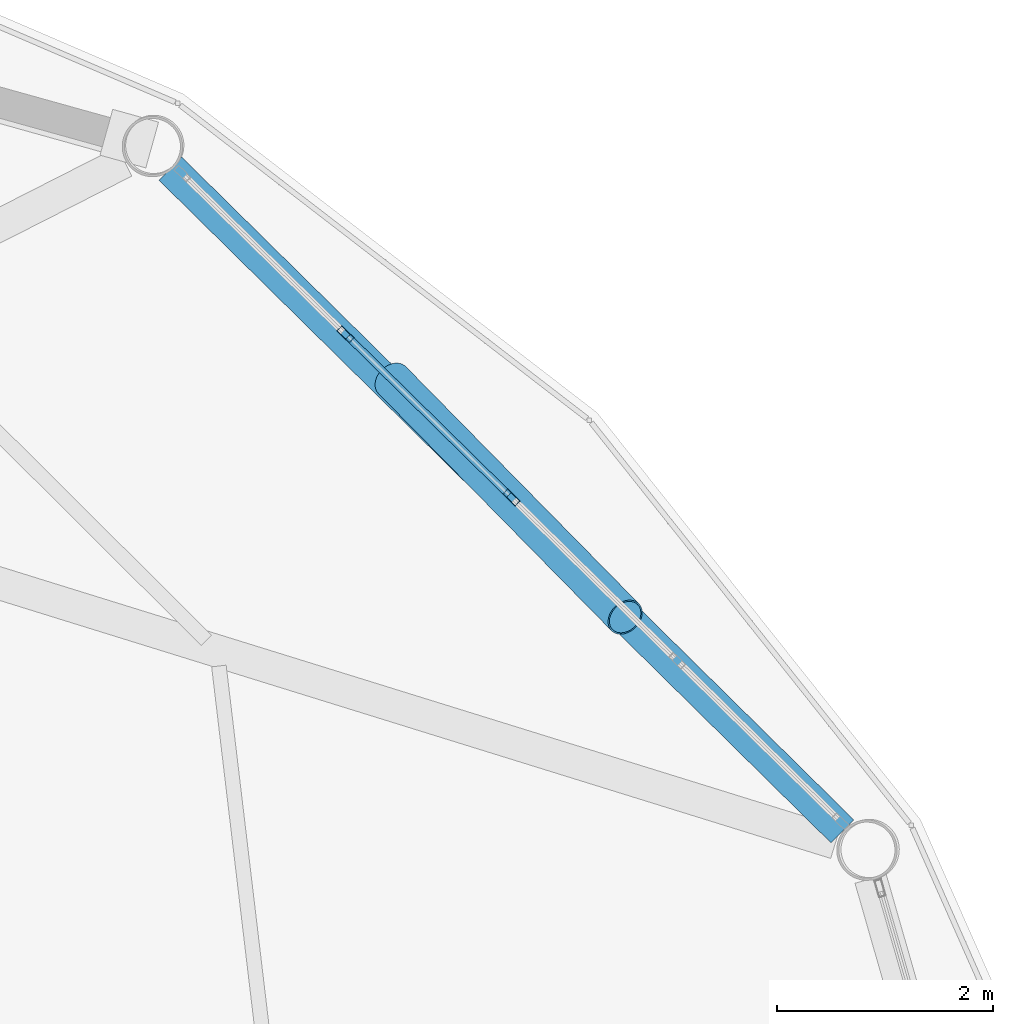
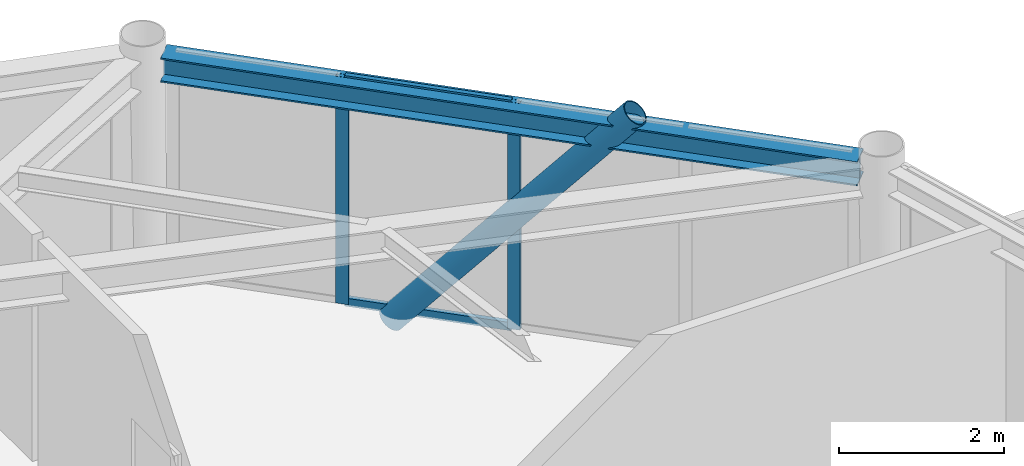
# One storey, part 15 of 27: 5 members, 1 beam, 1 element without a shape of its own.
"""IFC4 building model written with IfcOpenShell, lengths in metres."""

from ifc_helpers import new_model, si_unit, direction, frame, origin, origin_2d, place, context, subcontext, project, spatial, hollow_rectangle, hollow_circle, i_section, extrude, material, layer, layer_set, material_profile, profile_set, type_object, element, aggregate, save


model = new_model("IFC4")

# Units and contexts
model_context = context("Model", 3, precision=1e-05, world=origin(), true_north=direction((0.0, 1.0)))
body_context = subcontext(model_context, "Body", "Model", "MODEL_VIEW")
ifc_project = project(units=[si_unit("LENGTHUNIT", "METRE"), si_unit("AREAUNIT", "SQUARE_METRE"), si_unit("VOLUMEUNIT", "CUBIC_METRE"), si_unit("PLANEANGLEUNIT", "RADIAN"), si_unit("MASSUNIT", "GRAM", prefix="KILO")], contexts=[model_context])

# Site, building, storey
site_placement = place(None, origin())
site = spatial("IfcSite", under=ifc_project, at=site_placement, CompositionType="ELEMENT")
building_placement = place(site_placement, origin())
building = spatial("IfcBuilding", under=site, at=building_placement, Name="Varnakorn Sky Granary", CompositionType="ELEMENT")
storey_placement = place(building_placement, frame((0.0, 0.0, 263.39990234375)))
storey = spatial("IfcBuildingStorey", under=building, at=storey_placement, Name="L67", CompositionType="ELEMENT", Elevation=263.39990234375)

# Beam
ifc_material_1 = material(Name="Steel S355JR", Category="steel")
ifc_material_profile_1 = material_profile(ifc_material_1, i_section(OverallWidth=0.300048828125, OverallDepth=0.360107421875, WebThickness=0.012451171875, FlangeThickness=0.0224609375, at=origin_2d()), Name="HE 360 B")
ifc_profile_set_1 = profile_set([ifc_material_profile_1], Name="Steel S355JR")
beam_type = type_object("IfcBeamType", Name="BM-SPD-Z5", PredefinedType="SPANDREL", material=ifc_profile_set_1)
beam_placement = place(storey_placement, frame((20.268310546875, 9.069580078125, 3.18017578125), z_axis=(-0.712078619824, 0.702099735927, 0.0), x_axis=(-0.702099735927, -0.712078619824, 0.0)))
element("IfcBeam", 1, at=beam_placement, inside=storey, type_object=beam_type, Name="Perimeter Spandrel Ring Beam RB02 L67", PredefinedType="SPANDREL", context=body_context, shape_type="SweptSolid", body=[
    extrude(i_section(OverallWidth=0.300048828125, OverallDepth=0.360107421875, WebThickness=0.012451171875, FlangeThickness=0.0224609375, at=origin_2d()), origin(), (0.0, 0.0, 1.0), 8.734375),
])

# Curtain wall, members
ifc_material_2 = material(Name="Anodised Bronze Aluminium Alloy 6063-T6", Category="aluminium")
ifc_layer = layer(ifc_material_2, 0.159912109375, Name="Anodised Bronze Aluminium Alloy 6063-T6")
ifc_layer_set = layer_set([ifc_layer], Name="Anodised Bronze Aluminium Alloy 6063-T6")
curtain_wall_type = type_object("IfcCurtainWallType", Name="CW-OFF-1", PredefinedType="USERDEFINED", material=ifc_layer_set)
curtain_wall_placement = place(storey_placement, origin())
curtain_wall = element("IfcCurtainWall", 2, at=curtain_wall_placement, inside=storey, type_object=curtain_wall_type, Name="Unitised Curtain Wall CW6 CW-L67-B02", ObjectType="CURTAIN WALL", PredefinedType="USERDEFINED")
ifc_material_profile_2 = material_profile(ifc_material_2, hollow_rectangle(XDim=0.06494140625, YDim=0.159912109375, WallThickness=0.00341796875, at=origin_2d()), Name="ALU MULL 65x160")
ifc_profile_set_2 = profile_set([ifc_material_profile_2], Name="Anodised Bronze Aluminium Alloy 6063-T6")
member_type_1 = type_object("IfcMemberType", Name="CW-OFF-1-MULL", PredefinedType="MULLION", material=ifc_profile_set_2)
member_1_placement = place(storey_placement, frame((15.670654296875, 13.6689453125, 0.0), z_axis=(0.0, 0.0, 1.0), x_axis=(0.701440030116, 0.71272847856, 0.0)))
member_1 = element("IfcMember", 3, at=member_1_placement, type_object=member_type_1, Name="CW6 mullion 2", PredefinedType="MULLION", context=body_context, shape_type="SweptSolid", body=[
    extrude(hollow_rectangle(XDim=0.06494140625, YDim=0.159912109375, WallThickness=0.00341796875, at=origin_2d()), origin(), (0.0, 0.0, 1.0), 3.360107421875),
])
member_2_placement = place(storey_placement, frame((17.205078125, 12.158935546875, 0.0), z_axis=(0.0, 0.0, 1.0), x_axis=(0.701440030116, 0.71272847856, 0.0)))
member_2 = element("IfcMember", 4, at=member_2_placement, type_object=member_type_1, Name="CW6 mullion 3", PredefinedType="MULLION", context=body_context, shape_type="SweptSolid", body=[
    extrude(hollow_rectangle(XDim=0.06494140625, YDim=0.159912109375, WallThickness=0.00341796875, at=origin_2d()), origin(), (0.0, 0.0, 1.0), 3.360107421875),
])
ifc_material_profile_3 = material_profile(ifc_material_2, hollow_rectangle(XDim=0.06494140625, YDim=0.1201171875, WallThickness=0.00341796875, at=origin_2d()), Name="ALU TRAN 65x120")
ifc_profile_set_3 = profile_set([ifc_material_profile_3], Name="Anodised Bronze Aluminium Alloy 6063-T6")
member_type_2 = type_object("IfcMemberType", Name="CW-OFF-1-TRAN", PredefinedType="USERDEFINED", material=ifc_profile_set_3)
member_3_placement = place(storey_placement, frame((15.69384765625, 13.646240234375, 0.03271484375), z_axis=(0.712755675691, -0.701412394224, 0.0), x_axis=(0.701412394224, 0.712755675691, 0.0)))
member_3 = element("IfcMember", 5, at=member_3_placement, type_object=member_type_2, Name="CW6 transom 2.1", ObjectType="TRANSOM", PredefinedType="USERDEFINED", context=body_context, shape_type="SweptSolid", body=[
    extrude(hollow_rectangle(XDim=0.06494140625, YDim=0.1201171875, WallThickness=0.00341796875, at=origin_2d()), origin(), (0.0, 0.0, 1.0), 2.087646484375),
])
member_4_placement = place(storey_placement, frame((15.69384765625, 13.646240234375, 3.32763671875), z_axis=(0.712755675691, -0.701412394224, 0.0), x_axis=(0.701412394224, 0.712755675691, 0.0)))
member_4 = element("IfcMember", 6, at=member_4_placement, type_object=member_type_2, Name="CW6 transom 2.2", ObjectType="TRANSOM", PredefinedType="USERDEFINED", context=body_context, shape_type="SweptSolid", body=[
    extrude(hollow_rectangle(XDim=0.06494140625, YDim=0.1201171875, WallThickness=0.00341796875, at=origin_2d()), origin(), (0.0, 0.0, 1.0), 2.087646484375),
])
aggregate(curtain_wall, [member_1, member_2, member_3, member_4])

# Member
ifc_material_3 = material(Name="Steel S460M", Category="steel")
ifc_material_profile_4 = material_profile(ifc_material_3, hollow_circle(Radius=0.177734375, WallThickness=0.01416015625, at=origin_2d()), Name="CHS 355.6x14")
ifc_profile_set_4 = profile_set([ifc_material_profile_4], Name="Steel S460M")
member_type_3 = type_object("IfcMemberType", Name="MB-DIAG-T5", PredefinedType="BRACE", material=ifc_profile_set_4)
member_5_placement = place(storey_placement, frame((16.1015625, 13.2451171875, -0.1298828125), z_axis=(0.453935093117, -0.461747381857, 0.762057928628), x_axis=(0.71311362066, 0.701048474807, 0.0)))
element("IfcMember", 7, at=member_5_placement, inside=storey, type_object=member_type_3, Name="Perimeter CHS Diagrid Brace DG02 L67", PredefinedType="BRACE", context=body_context, shape_type="SweptSolid", body=[
    extrude(hollow_circle(Radius=0.177734375, WallThickness=0.01416015625, at=origin_2d()), origin(), (0.0, 0.0, 1.0), 4.750244140625),
])

save(model, "model.ifc")
